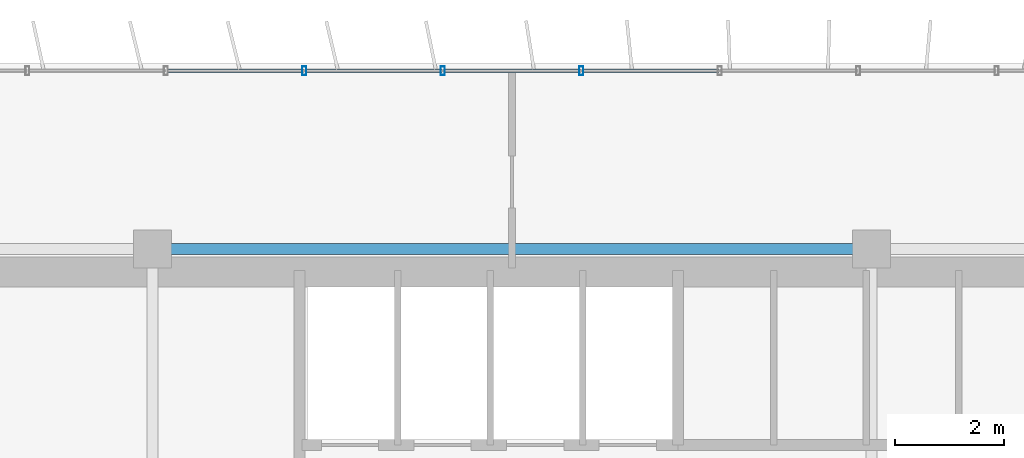
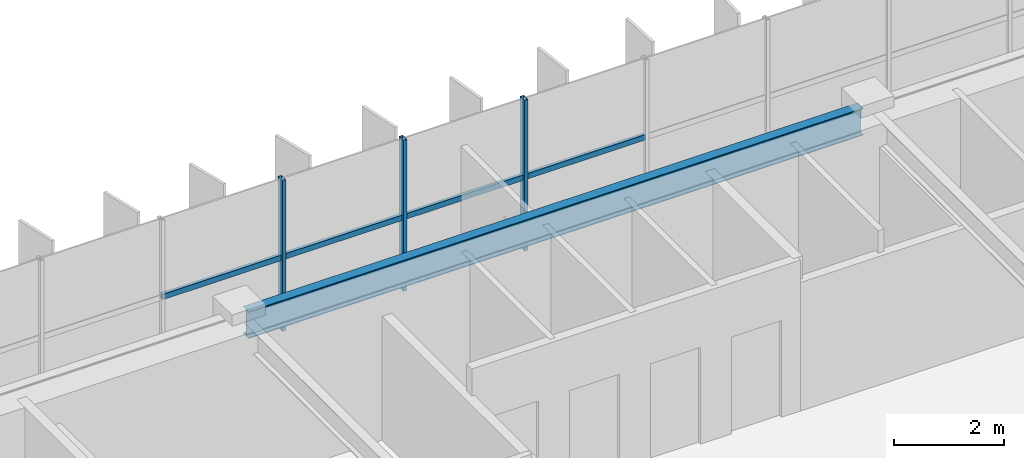
# One storey, part 7 of 20: 7 members, 1 beam, 1 element without a shape of its own.
"""IFC4 building model written with IfcOpenShell, lengths in metres."""

from ifc_helpers import new_model, si_unit, direction, frame, origin, origin_2d, place, context, subcontext, project, spatial, hollow_rectangle, i_section, extrude, source, transform, mapped, material, material_profile, profile_set, type_object, element, aggregate, save


model = new_model("IFC4")

# Units and contexts
model_context = context("Model", 3, precision=1e-05, world=origin(), true_north=direction((0.0, 1.0)))
body_context = subcontext(model_context, "Body", "Model", "MODEL_VIEW")
ifc_project = project(units=[si_unit("LENGTHUNIT", "METRE"), si_unit("AREAUNIT", "SQUARE_METRE"), si_unit("VOLUMEUNIT", "CUBIC_METRE"), si_unit("PLANEANGLEUNIT", "RADIAN"), si_unit("MASSUNIT", "GRAM", prefix="KILO")], contexts=[model_context])

# Site, building, storey
site_placement = place(None, origin())
site = spatial("IfcSite", under=ifc_project, at=site_placement, CompositionType="ELEMENT")
building_placement = place(site_placement, origin())
building = spatial("IfcBuilding", under=site, at=building_placement, Name="Trelvane Seafront Commons", CompositionType="ELEMENT")
storey_placement = place(building_placement, frame((0.0, 0.0, 168.10009765625)))
storey = spatial("IfcBuildingStorey", under=building, at=storey_placement, Name="L44", CompositionType="ELEMENT", Elevation=168.10009765625)

# Beam
ifc_material_1 = material(Name="Steel SM355 (S355)", Category="steel")
ifc_material_profile_1 = material_profile(ifc_material_1, i_section(OverallWidth=0.199951171875, OverallDepth=0.60009765625, WebThickness=0.010986328125, FlangeThickness=0.01708984375, at=origin_2d()), Name="H-600x200x11x17")
ifc_profile_set_1 = profile_set([ifc_material_profile_1], Name="Steel SM355 (S355)")
beam_type = type_object("IfcBeamType", Name="STR-SPD-H600", PredefinedType="SPANDREL", material=ifc_profile_set_1)
shared_shape_1 = source(origin(), body_context, "Body", "SweptSolid", [
    extrude(i_section(OverallWidth=0.199951171875, OverallDepth=0.60009765625, WebThickness=0.010986328125, FlangeThickness=0.01708984375, at=origin_2d()), origin(), (0.0, 0.0, 1.0), 12.89990234375),
])
beam_placement = place(storey_placement, frame((30.75, 45.10009765625, 3.0498046875), z_axis=(1.0, 0.0, 0.0), x_axis=(0.0, 1.0, 0.0)))
element("IfcBeam", 1, at=beam_placement, inside=storey, type_object=beam_type, Name="L44 Primary Girder G-25", PredefinedType="SPANDREL", context=body_context, shape_type="MappedRepresentation", body=[
    mapped(shared_shape_1, transform((0.0, 0.0, 0.0), x_axis=(1.0, 0.0, 0.0), y_axis=(0.0, 1.0, 0.0), z_axis=(0.0, 0.0, 1.0), scale=1.0)),
])

# Curtain wall, members
ifc_material_2 = material(Name="Anodised pale-silver aluminium", Category="aluminium")
curtain_wall_type = type_object("IfcCurtainWallType", Name="ARCH-CW5-UPTOWER", PredefinedType="NOTDEFINED", material=ifc_material_2)
curtain_wall_placement = place(storey_placement, origin())
curtain_wall = element("IfcCurtainWall", 2, at=curtain_wall_placement, inside=storey, type_object=curtain_wall_type, Name="CW-L44-0071", PredefinedType="NOTDEFINED")
ifc_material_profile_2 = material_profile(ifc_material_2, hollow_rectangle(XDim=0.070068359375, YDim=0.1201171875, WallThickness=0.00390625, at=origin_2d()), Name="TRAN-70x120x4")
ifc_profile_set_2 = profile_set([ifc_material_profile_2], Name="Anodised pale-silver aluminium")
member_type_1 = type_object("IfcMemberType", Name="ARCH-CW-TRAN-120", PredefinedType="USERDEFINED", material=ifc_profile_set_2)
shared_shape_2 = source(origin(), body_context, "Body", "SweptSolid", [
    extrude(hollow_rectangle(XDim=0.070068359375, YDim=0.1201171875, WallThickness=0.00390625, at=origin_2d()), origin(), (0.0, 0.0, 1.0), 2.51708984375),
])
member_1_placement = place(storey_placement, frame((30.859130859375, 48.3701171875, 1.60791015625), z_axis=(1.0, 0.0, 0.0), x_axis=(0.0, 1.0, 0.0)))
member_1 = element("IfcMember", 3, at=member_1_placement, type_object=member_type_1, Name="CW-L44-0071-T06", ObjectType="TRANSOM", PredefinedType="USERDEFINED", context=body_context, shape_type="MappedRepresentation", body=[
    mapped(shared_shape_2, transform((0.0, 0.0, 0.0), x_axis=(1.0, 0.0, 0.0), y_axis=(0.0, 1.0, 0.0), z_axis=(0.0, 0.0, 1.0), scale=1.0)),
])
member_2_placement = place(storey_placement, frame((35.94140625, 48.3701171875, 1.60791015625), z_axis=(1.0, 0.0, 0.0), x_axis=(0.0, 1.0, 0.0)))
member_2 = element("IfcMember", 4, at=member_2_placement, type_object=member_type_1, Name="CW-L44-0071-T08", ObjectType="TRANSOM", PredefinedType="USERDEFINED", context=body_context, shape_type="MappedRepresentation", body=[
    mapped(shared_shape_2, transform((0.0, 0.0, 0.0), x_axis=(1.0, 0.0, 0.0), y_axis=(0.0, 1.0, 0.0), z_axis=(0.0, 0.0, 1.0), scale=1.0)),
])
member_3_placement = place(storey_placement, frame((38.482666015625, 48.3701171875, 1.60791015625), z_axis=(1.0, 0.0, 0.0), x_axis=(0.0, 1.0, 0.0)))
member_3 = element("IfcMember", 5, at=member_3_placement, type_object=member_type_1, Name="CW-L44-0071-T09", ObjectType="TRANSOM", PredefinedType="USERDEFINED", context=body_context, shape_type="MappedRepresentation", body=[
    mapped(shared_shape_2, transform((0.0, 0.0, 0.0), x_axis=(1.0, 0.0, 0.0), y_axis=(0.0, 1.0, 0.0), z_axis=(0.0, 0.0, 1.0), scale=1.0)),
])
shared_shape_3 = source(origin(), body_context, "Body", "SweptSolid", [
    extrude(hollow_rectangle(XDim=0.070068359375, YDim=0.1201171875, WallThickness=0.00390625, at=origin_2d()), origin(), (0.0, 0.0, 1.0), 2.517333984375),
])
member_4_placement = place(storey_placement, frame((33.400146484375, 48.3701171875, 1.60791015625), z_axis=(1.0, 0.0, 0.0), x_axis=(0.0, 1.0, 0.0)))
member_4 = element("IfcMember", 6, at=member_4_placement, type_object=member_type_1, Name="CW-L44-0071-T07", ObjectType="TRANSOM", PredefinedType="USERDEFINED", context=body_context, shape_type="MappedRepresentation", body=[
    mapped(shared_shape_3, transform((0.0, 0.0, 0.0), x_axis=(1.0, 0.0, 0.0), y_axis=(0.0, 1.0, 0.0), z_axis=(0.0, 0.0, 1.0), scale=1.0)),
])
ifc_material_profile_3 = material_profile(ifc_material_2, hollow_rectangle(XDim=0.074951171875, YDim=0.159912109375, WallThickness=0.00390625, at=origin_2d()), Name="MULL-75x160x4")
ifc_profile_set_3 = profile_set([ifc_material_profile_3], Name="Anodised pale-silver aluminium")
member_type_2 = type_object("IfcMemberType", Name="ARCH-CW-MULL-160", PredefinedType="MULLION", material=ifc_profile_set_3)
shared_shape_4 = source(origin(), body_context, "Body", "SweptSolid", [
    extrude(hollow_rectangle(XDim=0.074951171875, YDim=0.159912109375, WallThickness=0.00390625, at=origin_2d()), origin(), (0.0, 0.0, 1.0), 3.349853515625),
])
member_5_placement = place(storey_placement, frame((33.38818359375, 48.3701171875, 0.0), z_axis=(0.0, 0.0, 1.0), x_axis=(1.0, 0.0, 0.0)))
member_5 = element("IfcMember", 7, at=member_5_placement, type_object=member_type_2, Name="CW-L44-0071-M07", PredefinedType="MULLION", context=body_context, shape_type="MappedRepresentation", body=[
    mapped(shared_shape_4, transform((0.0, 0.0, 0.0), x_axis=(1.0, 0.0, 0.0), y_axis=(0.0, 1.0, 0.0), z_axis=(0.0, 0.0, 1.0), scale=1.0)),
])
member_6_placement = place(storey_placement, frame((35.929443359375, 48.3701171875, 0.0), z_axis=(0.0, 0.0, 1.0), x_axis=(1.0, 0.0, 0.0)))
member_6 = element("IfcMember", 8, at=member_6_placement, type_object=member_type_2, Name="CW-L44-0071-M08", PredefinedType="MULLION", context=body_context, shape_type="MappedRepresentation", body=[
    mapped(shared_shape_4, transform((0.0, 0.0, 0.0), x_axis=(1.0, 0.0, 0.0), y_axis=(0.0, 1.0, 0.0), z_axis=(0.0, 0.0, 1.0), scale=1.0)),
])
member_7_placement = place(storey_placement, frame((38.470703125, 48.3701171875, 0.0), z_axis=(0.0, 0.0, 1.0), x_axis=(1.0, 0.0, 0.0)))
member_7 = element("IfcMember", 9, at=member_7_placement, type_object=member_type_2, Name="CW-L44-0071-M09", PredefinedType="MULLION", context=body_context, shape_type="MappedRepresentation", body=[
    mapped(shared_shape_4, transform((0.0, 0.0, 0.0), x_axis=(1.0, 0.0, 0.0), y_axis=(0.0, 1.0, 0.0), z_axis=(0.0, 0.0, 1.0), scale=1.0)),
])
aggregate(curtain_wall, [member_5, member_6, member_7, member_1, member_4, member_2, member_3])

save(model, "model.ifc")
